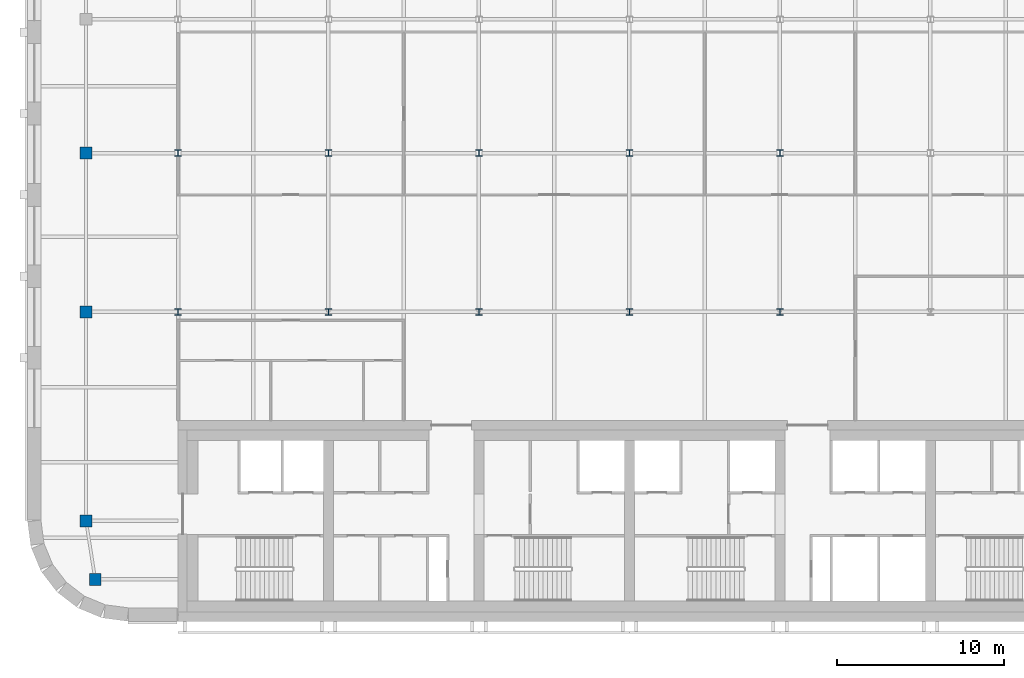
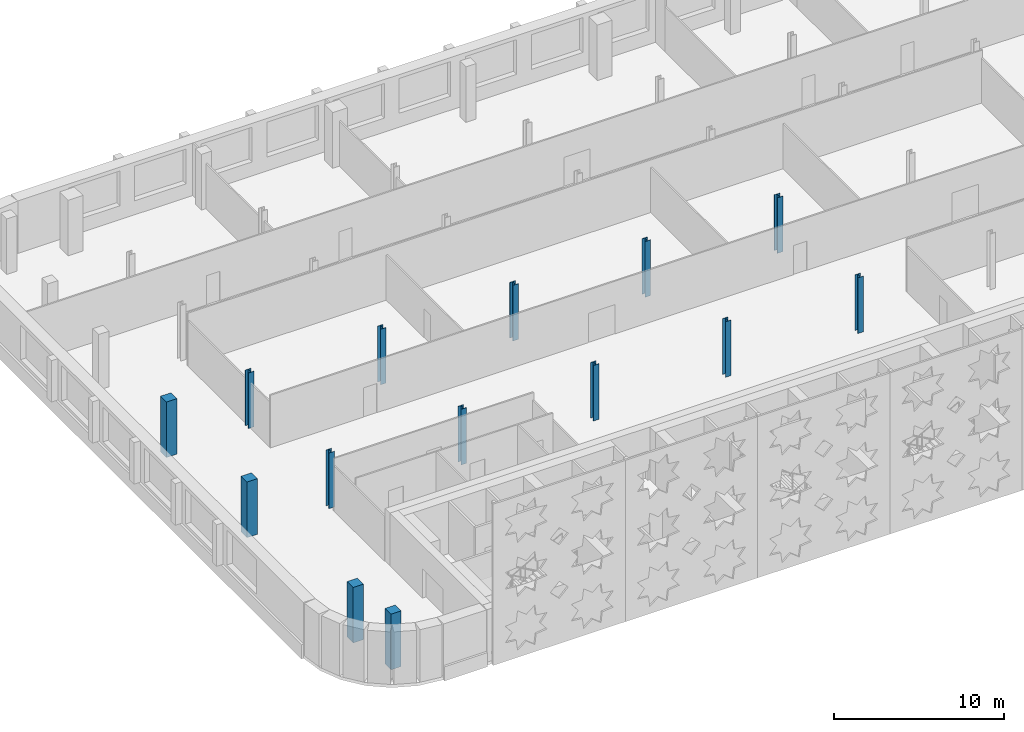
# One storey, part 1 of 15: 14 columns.
"""IFC4 building model written with IfcOpenShell, lengths in metres."""

from ifc_helpers import new_model, si_unit, direction, frame, origin, origin_2d, place, context, subcontext, project, spatial, rectangle, i_section, extrude, material, material_profile, profile_set, type_object, element, save


model = new_model("IFC4")

# Units and contexts
model_context = context("Model", 3, precision=1e-05, world=origin(), true_north=direction((0.0, 1.0)))
body_context = subcontext(model_context, "Body", "Model", "MODEL_VIEW")
ifc_project = project(units=[si_unit("LENGTHUNIT", "METRE"), si_unit("AREAUNIT", "SQUARE_METRE"), si_unit("VOLUMEUNIT", "CUBIC_METRE"), si_unit("PLANEANGLEUNIT", "RADIAN"), si_unit("MASSUNIT", "GRAM", prefix="KILO")], contexts=[model_context])

# Site, building, storey
site_placement = place(None, origin())
site = spatial("IfcSite", under=ifc_project, at=site_placement, CompositionType="ELEMENT")
building_placement = place(site_placement, origin())
building = spatial("IfcBuilding", under=site, at=building_placement, Name="Zellij Exchange Tower", CompositionType="ELEMENT")
storey_placement = place(building_placement, frame((0.0, 0.0, 276.5)))
storey = spatial("IfcBuildingStorey", under=building, at=storey_placement, Name="L65", CompositionType="ELEMENT", Elevation=276.5)

# Columns
ifc_material_1 = material(Name="Concrete C50/60", Category="concrete")
ifc_material_profile_1 = material_profile(ifc_material_1, rectangle(XDim=0.699951171875, YDim=0.699951171875, at=origin_2d()), Name="STR-COLUMN RC700x700 C50/60")
ifc_profile_set_1 = profile_set([ifc_material_profile_1], Name="Concrete C50/60")
column_type_1 = type_object("IfcColumnType", Name="STR-COLUMN RC700x700 C50/60", PredefinedType="COLUMN", material=ifc_profile_set_1)
for number, where, z_axis, x_axis, name in (
    (1, (-31.949951171875, -11.5, 0.0), (0.0, 0.0, 1.0), (1.0, 0.0, 0.0), "C14"),
    (2, (-32.5, -8.0, 0.0), (0.0, 0.0, 1.0), (1.0, 0.0, 0.0), "C14"),
    (3, (-32.5, 4.5, 0.0), (0.0, 0.0, 1.0), (1.0, 0.0, 0.0), "C14"),
    (4, (-32.5, 14.0, 0.0), (0.0, 0.0, 1.0), (1.0, 0.0, 0.0), "C14"),
):
    element("IfcColumn", number, at=place(storey_placement, frame(where, z_axis=z_axis, x_axis=x_axis)), inside=storey, type_object=column_type_1, Name=name, PredefinedType="COLUMN", context=body_context, shape_type="SweptSolid", body=[
        extrude(rectangle(XDim=0.699951171875, YDim=0.699951171875, at=origin_2d()), origin(), (0.0, 0.0, 1.0), 4.0),
    ])
ifc_material_2 = material(Name="Structural steel ASTM A992 Gr 50", Category="steel")
ifc_material_profile_2 = material_profile(ifc_material_2, i_section(OverallWidth=0.373291015625, OverallDepth=0.373291015625, WebThickness=0.016357421875, FlangeThickness=0.026123046875, at=origin_2d()), Name="W14x132")
ifc_profile_set_2 = profile_set([ifc_material_profile_2], Name="Structural steel ASTM A992 Gr 50")
column_type_2 = type_object("IfcColumnType", Name="STR-COLUMN W14x132", PredefinedType="COLUMN", material=ifc_profile_set_2)
for number, where, z_axis, x_axis, name in (
    (5, (-27.0, 4.5, 0.0), (0.0, 0.0, 1.0), (1.0, 0.0, 0.0), "C1"),
    (6, (-18.0, 4.5, 0.0), (0.0, 0.0, 1.0), (1.0, 0.0, 0.0), "C1"),
    (7, (-9.0, 4.5, 0.0), (0.0, 0.0, 1.0), (1.0, 0.0, 0.0), "C1"),
    (8, (0.0, 4.5, 0.0), (0.0, 0.0, 1.0), (1.0, 0.0, 0.0), "C1"),
    (9, (9.0, 4.5, 0.0), (0.0, 0.0, 1.0), (1.0, 0.0, 0.0), "C1"),
    (10, (-27.0, 14.0, 0.0), (0.0, 0.0, 1.0), (1.0, 0.0, 0.0), "C1"),
    (11, (-18.0, 14.0, 0.0), (0.0, 0.0, 1.0), (1.0, 0.0, 0.0), "C1"),
    (12, (-9.0, 14.0, 0.0), (0.0, 0.0, 1.0), (1.0, 0.0, 0.0), "C1"),
    (13, (0.0, 14.0, 0.0), (0.0, 0.0, 1.0), (1.0, 0.0, 0.0), "C1"),
    (14, (9.0, 14.0, 0.0), (0.0, 0.0, 1.0), (1.0, 0.0, 0.0), "C1"),
):
    element("IfcColumn", number, at=place(storey_placement, frame(where, z_axis=z_axis, x_axis=x_axis)), inside=storey, type_object=column_type_2, Name=name, PredefinedType="COLUMN", context=body_context, shape_type="SweptSolid", body=[
        extrude(i_section(OverallWidth=0.373291015625, OverallDepth=0.373291015625, WebThickness=0.016357421875, FlangeThickness=0.026123046875, at=origin_2d()), origin(), (0.0, 0.0, 1.0), 4.0),
    ])

save(model, "model.ifc")
